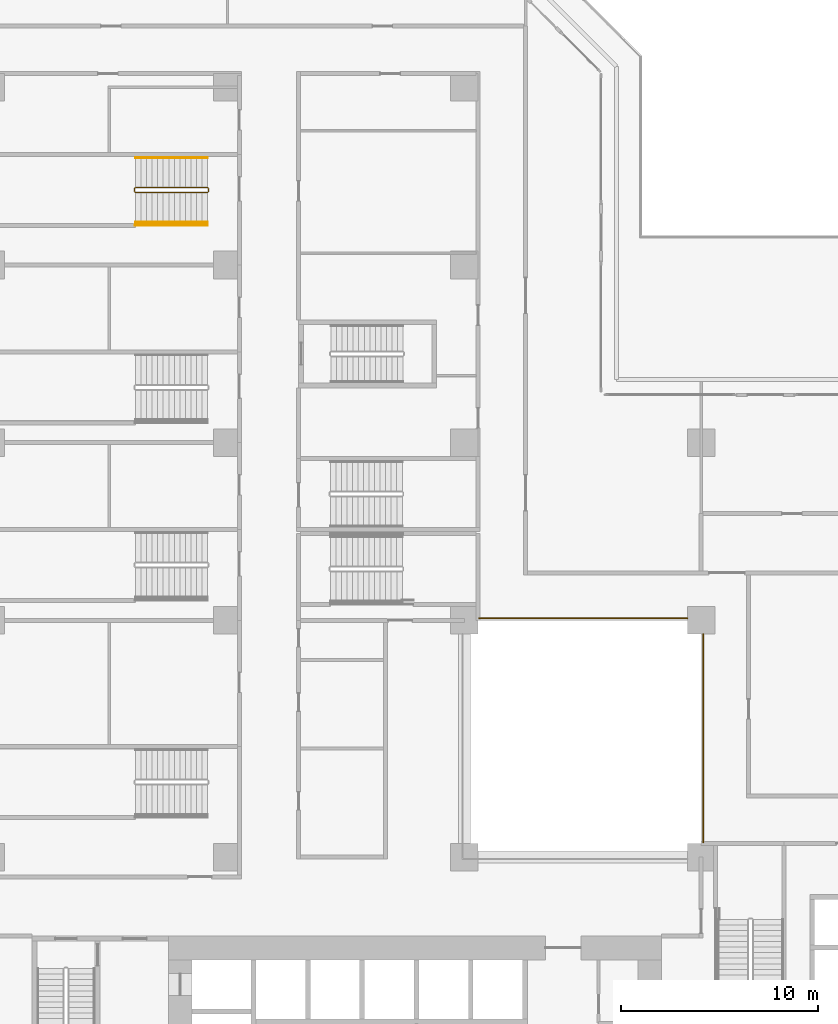
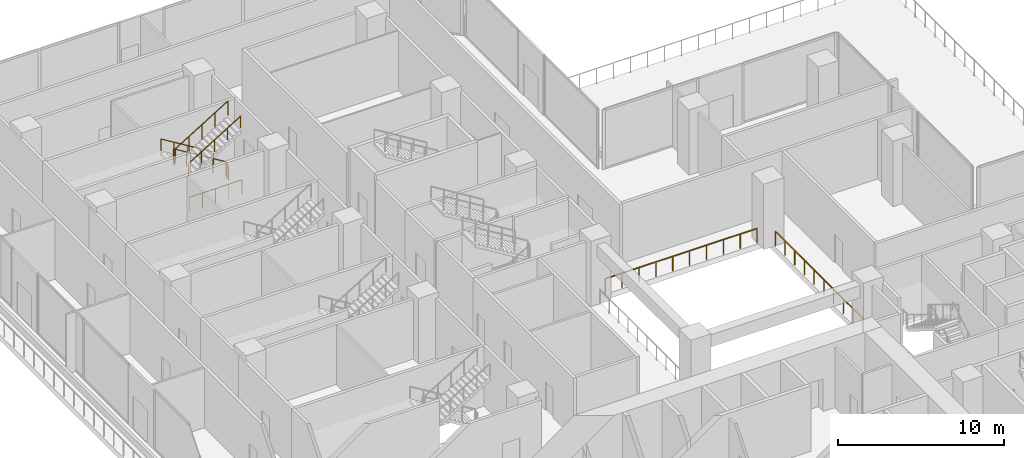
# One storey, part 25 of 25: 6 railings.
"""IFC4 building model written with IfcOpenShell, lengths in metres."""

from ifc_helpers import new_model, si_unit, direction, frame, origin, origin_2d, place, context, subcontext, project, spatial, rectangle, extrude, material, type_object, element, save


model = new_model("IFC4")

# Units and contexts
model_context = context("Model", 3, precision=1e-05, world=origin(), true_north=direction((0.0, 1.0)))
body_context = subcontext(model_context, "Body", "Model", "MODEL_VIEW")
ifc_project = project(units=[si_unit("LENGTHUNIT", "METRE"), si_unit("AREAUNIT", "SQUARE_METRE"), si_unit("VOLUMEUNIT", "CUBIC_METRE"), si_unit("PLANEANGLEUNIT", "RADIAN"), si_unit("MASSUNIT", "GRAM", prefix="KILO")], contexts=[model_context])

# Site, building, storey
site_placement = place(None, origin())
site = spatial("IfcSite", under=ifc_project, at=site_placement, CompositionType="ELEMENT")
building_placement = place(site_placement, origin())
building = spatial("IfcBuilding", under=site, at=building_placement, Name="Chenar Terraces", CompositionType="ELEMENT")
storey_placement = place(building_placement, frame((0.0, 0.0, 21.60009765625)))
storey = spatial("IfcBuildingStorey", under=building, at=storey_placement, Name="L04", CompositionType="ELEMENT", Elevation=21.60009765625)

# Railings
ifc_material_1 = material(Name="Powder-coated steel", Category="steel")
railing_type_1 = type_object("IfcRailingType", Name="Guard 1100 steel rail with glass infill", PredefinedType="GUARDRAIL", material=ifc_material_1)
railing_1_placement = place(storey_placement, frame((24.75, 36.10009765625, 0.0)))
element("IfcRailing", 1, at=railing_1_placement, inside=storey, type_object=railing_type_1, Name="Guard L04-2", PredefinedType="GUARDRAIL", context=body_context, shape_type="SweptSolid", body=[
    extrude(rectangle(XDim=0.06005859375, YDim=0.06005859375, at=origin_2d()), frame((0.0, 0.0, 1.070068359375), z_axis=(1.0, 0.0, 0.0), x_axis=(0.0, 1.0, 0.0)), (0.0, 0.0, 1.0), 10.550048828125),
    extrude(rectangle(XDim=0.050048828125, YDim=0.050048828125, at=origin_2d()), origin(), (0.0, 0.0, 1.0), 1.0400390625),
    extrude(rectangle(XDim=0.050048828125, YDim=0.050048828125, at=origin_2d()), frame((1.172119140625, 0.0, 0.0)), (0.0, 0.0, 1.0), 1.0400390625),
    extrude(rectangle(XDim=0.050048828125, YDim=0.050048828125, at=origin_2d()), frame((2.344482421875, 0.0, 0.0)), (0.0, 0.0, 1.0), 1.0400390625),
    extrude(rectangle(XDim=0.050048828125, YDim=0.050048828125, at=origin_2d()), frame((3.5166015625, 0.0, 0.0)), (0.0, 0.0, 1.0), 1.0400390625),
    extrude(rectangle(XDim=0.050048828125, YDim=0.050048828125, at=origin_2d()), frame((4.68896484375, 0.0, 0.0)), (0.0, 0.0, 1.0), 1.0400390625),
    extrude(rectangle(XDim=0.050048828125, YDim=0.050048828125, at=origin_2d()), frame((5.861083984375, 0.0, 0.0)), (0.0, 0.0, 1.0), 1.0400390625),
    extrude(rectangle(XDim=0.050048828125, YDim=0.050048828125, at=origin_2d()), frame((7.033447265625, 0.0, 0.0)), (0.0, 0.0, 1.0), 1.0400390625),
    extrude(rectangle(XDim=0.050048828125, YDim=0.050048828125, at=origin_2d()), frame((8.20556640625, 0.0, 0.0)), (0.0, 0.0, 1.0), 1.0400390625),
    extrude(rectangle(XDim=0.050048828125, YDim=0.050048828125, at=origin_2d()), frame((9.3779296875, 0.0, 0.0)), (0.0, 0.0, 1.0), 1.0400390625),
    extrude(rectangle(XDim=0.050048828125, YDim=0.050048828125, at=origin_2d()), frame((10.550048828125, 0.0, 0.0)), (0.0, 0.0, 1.0), 1.0400390625),
])
railing_2_placement = place(storey_placement, frame((36.10009765625, 24.75, 0.0)))
element("IfcRailing", 2, at=railing_2_placement, inside=storey, type_object=railing_type_1, Name="Guard L04-3", PredefinedType="GUARDRAIL", context=body_context, shape_type="SweptSolid", body=[
    extrude(rectangle(XDim=0.06005859375, YDim=0.06005859375, at=origin_2d()), frame((0.0, 0.0, 1.070068359375), z_axis=(0.0, 1.0, 0.0), x_axis=(-1.0, 0.0, 0.0)), (0.0, 0.0, 1.0), 10.550048828125),
    extrude(rectangle(XDim=0.050048828125, YDim=0.050048828125, at=origin_2d()), origin(), (0.0, 0.0, 1.0), 1.0400390625),
    extrude(rectangle(XDim=0.050048828125, YDim=0.050048828125, at=origin_2d()), frame((0.0, 1.172119140625, 0.0)), (0.0, 0.0, 1.0), 1.0400390625),
    extrude(rectangle(XDim=0.050048828125, YDim=0.050048828125, at=origin_2d()), frame((0.0, 2.344482421875, 0.0)), (0.0, 0.0, 1.0), 1.0400390625),
    extrude(rectangle(XDim=0.050048828125, YDim=0.050048828125, at=origin_2d()), frame((0.0, 3.5166015625, 0.0)), (0.0, 0.0, 1.0), 1.0400390625),
    extrude(rectangle(XDim=0.050048828125, YDim=0.050048828125, at=origin_2d()), frame((0.0, 4.68896484375, 0.0)), (0.0, 0.0, 1.0), 1.0400390625),
    extrude(rectangle(XDim=0.050048828125, YDim=0.050048828125, at=origin_2d()), frame((0.0, 5.861083984375, 0.0)), (0.0, 0.0, 1.0), 1.0400390625),
    extrude(rectangle(XDim=0.050048828125, YDim=0.050048828125, at=origin_2d()), frame((0.0, 7.033447265625, 0.0)), (0.0, 0.0, 1.0), 1.0400390625),
    extrude(rectangle(XDim=0.050048828125, YDim=0.050048828125, at=origin_2d()), frame((0.0, 8.20556640625, 0.0)), (0.0, 0.0, 1.0), 1.0400390625),
    extrude(rectangle(XDim=0.050048828125, YDim=0.050048828125, at=origin_2d()), frame((0.0, 9.3779296875, 0.0)), (0.0, 0.0, 1.0), 1.0400390625),
    extrude(rectangle(XDim=0.050048828125, YDim=0.050048828125, at=origin_2d()), frame((0.0, 10.550048828125, 0.0)), (0.0, 0.0, 1.0), 1.0400390625),
])
ifc_material_2 = material(Name="Powder-coated steel", Category="steel")
railing_type_2 = type_object("IfcRailingType", Name="Stair guard 1100", PredefinedType="GUARDRAIL", material=ifc_material_2)
railing_3_placement = place(storey_placement, frame((10.985107421875, 57.675048828125, 4.7998046875)))
element("IfcRailing", 3, at=railing_3_placement, inside=storey, type_object=railing_type_2, Name="L04 PS3 stair guard 1", PredefinedType="GUARDRAIL", context=body_context, shape_type="SweptSolid", body=[
    extrude(rectangle(XDim=0.048095703125, YDim=0.048095703125, at=origin_2d()), frame((0.0, 0.0, 1.076171875), z_axis=(-0.852865859571, 0.0, -0.52213008492), x_axis=(0.0, -1.0, 0.0)), (0.0, 0.0, 1.0), 4.26806640625),
    extrude(rectangle(XDim=0.048095703125, YDim=0.048095703125, at=origin_2d()), frame((-3.64013671875, 0.0, -1.15234375), z_axis=(-0.269911200495, 0.269911200495, -0.924281281696), x_axis=(-0.707106781187, -0.707106781187, 0.0)), (0.0, 0.0, 1.0), 0.185546875),
    extrude(rectangle(XDim=0.048095703125, YDim=0.048095703125, at=origin_2d()), frame((-3.690185546875, 0.050048828125, -1.32373046875), z_axis=(0.0, 1.0, 0.0), x_axis=(-1.0, 0.0, 0.0)), (0.0, 0.0, 1.0), 0.14990234375),
    extrude(rectangle(XDim=0.048095703125, YDim=0.048095703125, at=origin_2d()), frame((-3.690185546875, 0.199951171875, -1.32373046875), z_axis=(0.707106781187, 0.707106781187, 0.0), x_axis=(-0.707106781187, 0.707106781187, 0.0)), (0.0, 0.0, 1.0), 0.07080078125),
    extrude(rectangle(XDim=0.048095703125, YDim=0.048095703125, at=origin_2d()), frame((-3.64013671875, 0.25, -1.32373046875), z_axis=(0.852865859571, 0.0, -0.52213008492), x_axis=(0.0, 1.0, 0.0)), (0.0, 0.0, 1.0), 4.26806640625),
    extrude(rectangle(XDim=0.048095703125, YDim=0.048095703125, at=origin_2d()), frame((0.0, 0.25, -3.55224609375), z_axis=(0.268689830376, -0.270006937388, -0.924609122178), x_axis=(0.708833529934, 0.705375805398, 0.0)), (0.0, 0.0, 1.0), 0.185302734375),
    extrude(rectangle(XDim=0.048095703125, YDim=0.048095703125, at=origin_2d()), frame((0.0498046875, 0.199951171875, -3.7236328125), z_axis=(0.0, -1.0, 0.0), x_axis=(1.0, 0.0, 0.0)), (0.0, 0.0, 1.0), 0.14990234375),
    extrude(rectangle(XDim=0.0419921875, YDim=0.0419921875, at=origin_2d()), origin(), (0.0, 0.0, 1.0), 1.052001953125),
    extrude(rectangle(XDim=0.0419921875, YDim=0.0419921875, at=origin_2d()), frame((-0.91015625, 0.0, -0.55712890625)), (0.0, 0.0, 1.0), 1.052001953125),
    extrude(rectangle(XDim=0.0419921875, YDim=0.0419921875, at=origin_2d()), frame((-1.820068359375, 0.0, -1.1142578125)), (0.0, 0.0, 1.0), 1.052001953125),
    extrude(rectangle(XDim=0.0419921875, YDim=0.0419921875, at=origin_2d()), frame((-2.72998046875, 0.0, -1.67138671875)), (0.0, 0.0, 1.0), 1.052001953125),
    extrude(rectangle(XDim=0.0419921875, YDim=0.0419921875, at=origin_2d()), frame((-3.64013671875, 0.0, -2.228515625)), (0.0, 0.0, 1.0), 1.052001953125),
    extrude(rectangle(XDim=0.0419921875, YDim=0.0419921875, at=origin_2d()), frame((-3.690185546875, 0.050048828125, -2.39990234375)), (0.0, 0.0, 1.0), 1.052001953125),
    extrude(rectangle(XDim=0.0419921875, YDim=0.0419921875, at=origin_2d()), frame((-3.690185546875, 0.199951171875, -2.39990234375)), (0.0, 0.0, 1.0), 1.052001953125),
    extrude(rectangle(XDim=0.0419921875, YDim=0.0419921875, at=origin_2d()), frame((-3.64013671875, 0.25, -2.39990234375)), (0.0, 0.0, 1.0), 1.052001953125),
    extrude(rectangle(XDim=0.0419921875, YDim=0.0419921875, at=origin_2d()), frame((-2.72998046875, 0.25, -2.95703125)), (0.0, 0.0, 1.0), 1.052001953125),
    extrude(rectangle(XDim=0.0419921875, YDim=0.0419921875, at=origin_2d()), frame((-1.820068359375, 0.25, -3.51416015625)), (0.0, 0.0, 1.0), 1.052001953125),
    extrude(rectangle(XDim=0.0419921875, YDim=0.0419921875, at=origin_2d()), frame((-0.91015625, 0.25, -4.0712890625)), (0.0, 0.0, 1.0), 1.052001953125),
    extrude(rectangle(XDim=0.0419921875, YDim=0.0419921875, at=origin_2d()), frame((0.0, 0.25, -4.62841796875)), (0.0, 0.0, 1.0), 1.052001953125),
    extrude(rectangle(XDim=0.0419921875, YDim=0.0419921875, at=origin_2d()), frame((0.0498046875, 0.199951171875, -4.7998046875)), (0.0, 0.0, 1.0), 1.052001953125),
    extrude(rectangle(XDim=0.0419921875, YDim=0.0419921875, at=origin_2d()), frame((0.0498046875, 0.050048828125, -4.7998046875)), (0.0, 0.0, 1.0), 1.052001953125),
])
railing_4_placement = place(storey_placement, frame((7.32421875, 56.010009765625, 0.0)))
element("IfcRailing", 4, at=railing_4_placement, inside=storey, type_object=railing_type_2, Name="L04 PS3 stair guard 101", PredefinedType="GUARDRAIL", context=body_context, shape_type="SweptSolid", body=[
    extrude(rectangle(XDim=0.048095703125, YDim=0.048095703125, at=origin_2d()), frame((0.0, 0.0, 1.076171875), z_axis=(1.0, 0.0, 0.0), x_axis=(0.0, 1.0, 0.0)), (0.0, 0.0, 1.0), 3.660888671875),
    extrude(rectangle(XDim=0.0419921875, YDim=0.0419921875, at=origin_2d()), origin(), (0.0, 0.0, 1.0), 1.052001953125),
    extrude(rectangle(XDim=0.0419921875, YDim=0.0419921875, at=origin_2d()), frame((0.915283203125, 0.0, 0.0)), (0.0, 0.0, 1.0), 1.052001953125),
    extrude(rectangle(XDim=0.0419921875, YDim=0.0419921875, at=origin_2d()), frame((1.83056640625, 0.0, 0.0)), (0.0, 0.0, 1.0), 1.052001953125),
    extrude(rectangle(XDim=0.0419921875, YDim=0.0419921875, at=origin_2d()), frame((2.74560546875, 0.0, 0.0)), (0.0, 0.0, 1.0), 1.052001953125),
    extrude(rectangle(XDim=0.0419921875, YDim=0.0419921875, at=origin_2d()), frame((3.660888671875, 0.0, 0.0)), (0.0, 0.0, 1.0), 1.052001953125),
])
ifc_material_3 = material(Name="Powder-coated steel", Category="steel")
railing_type_3 = type_object("IfcRailingType", Name="Stair handrail 900", PredefinedType="HANDRAIL", material=ifc_material_3)
railing_5_placement = place(storey_placement, frame((10.985107421875, 59.43994140625, 0.17138671875)))
element("IfcRailing", 5, at=railing_5_placement, inside=storey, type_object=railing_type_3, Name="L04 PS3 stair handrail 1", PredefinedType="HANDRAIL", context=body_context, shape_type="SweptSolid", body=[
    extrude(rectangle(XDim=0.048095703125, YDim=0.048095703125, at=origin_2d()), frame((0.0, 0.0, 0.8759765625), z_axis=(-0.852865859571, 0.0, 0.52213008492), x_axis=(0.0, -1.0, 0.0)), (0.0, 0.0, 1.0), 4.26806640625),
    extrude(rectangle(XDim=0.0419921875, YDim=0.0419921875, at=origin_2d()), origin(), (0.0, 0.0, 1.0), 0.851806640625),
    extrude(rectangle(XDim=0.0419921875, YDim=0.0419921875, at=origin_2d()), frame((-0.91015625, 0.0, 0.55712890625)), (0.0, 0.0, 1.0), 0.851806640625),
    extrude(rectangle(XDim=0.0419921875, YDim=0.0419921875, at=origin_2d()), frame((-1.820068359375, 0.0, 1.1142578125)), (0.0, 0.0, 1.0), 0.851806640625),
    extrude(rectangle(XDim=0.0419921875, YDim=0.0419921875, at=origin_2d()), frame((-2.72998046875, 0.0, 1.67138671875)), (0.0, 0.0, 1.0), 0.851806640625),
    extrude(rectangle(XDim=0.0419921875, YDim=0.0419921875, at=origin_2d()), frame((-3.64013671875, 0.0, 2.228515625)), (0.0, 0.0, 1.0), 0.851806640625),
])
railing_6_placement = place(storey_placement, frame((7.344970703125, 56.159912109375, 2.5712890625)))
element("IfcRailing", 6, at=railing_6_placement, inside=storey, type_object=railing_type_3, Name="L04 PS3 stair handrail 2", PredefinedType="HANDRAIL", context=body_context, shape_type="SweptSolid", body=[
    extrude(rectangle(XDim=0.048095703125, YDim=0.048095703125, at=origin_2d()), frame((0.0, 0.0, 0.8759765625), z_axis=(0.852865859571, 0.0, 0.52213008492), x_axis=(0.0, 1.0, 0.0)), (0.0, 0.0, 1.0), 4.26806640625),
    extrude(rectangle(XDim=0.0419921875, YDim=0.0419921875, at=origin_2d()), origin(), (0.0, 0.0, 1.0), 0.851806640625),
    extrude(rectangle(XDim=0.0419921875, YDim=0.0419921875, at=origin_2d()), frame((0.91015625, 0.0, 0.55712890625)), (0.0, 0.0, 1.0), 0.851806640625),
    extrude(rectangle(XDim=0.0419921875, YDim=0.0419921875, at=origin_2d()), frame((1.820068359375, 0.0, 1.1142578125)), (0.0, 0.0, 1.0), 0.851806640625),
    extrude(rectangle(XDim=0.0419921875, YDim=0.0419921875, at=origin_2d()), frame((2.72998046875, 0.0, 1.67138671875)), (0.0, 0.0, 1.0), 0.851806640625),
    extrude(rectangle(XDim=0.0419921875, YDim=0.0419921875, at=origin_2d()), frame((3.64013671875, 0.0, 2.228515625)), (0.0, 0.0, 1.0), 0.851806640625),
])

save(model, "model.ifc")
